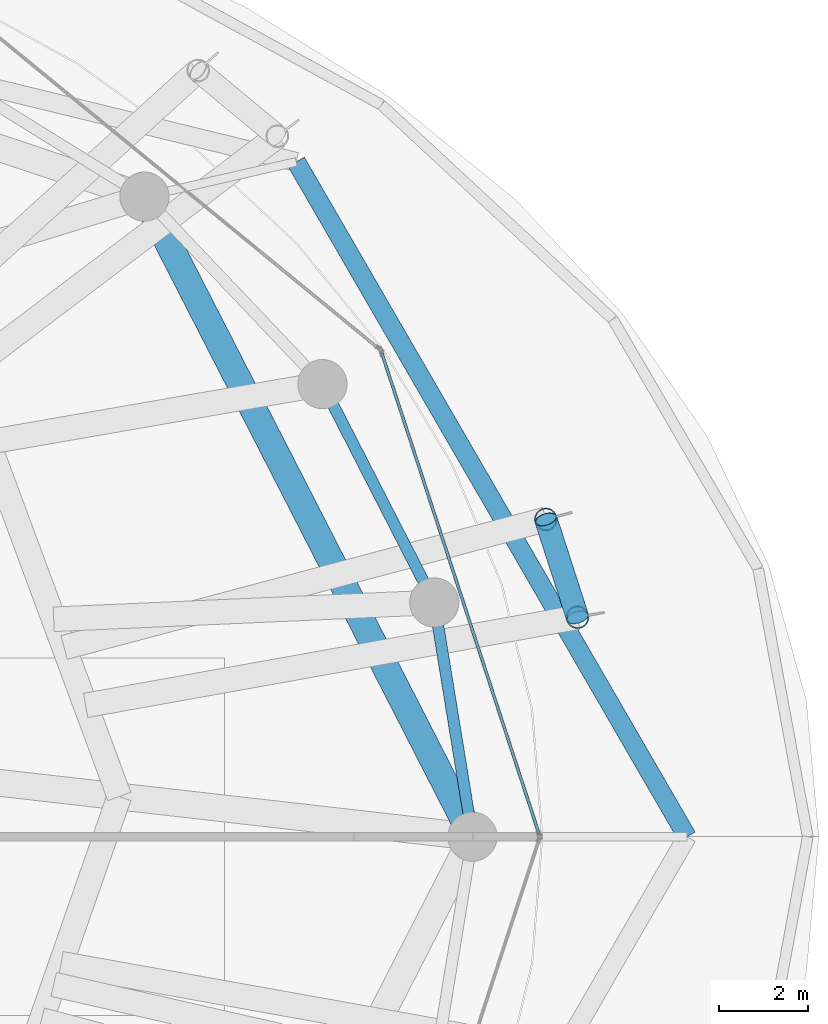
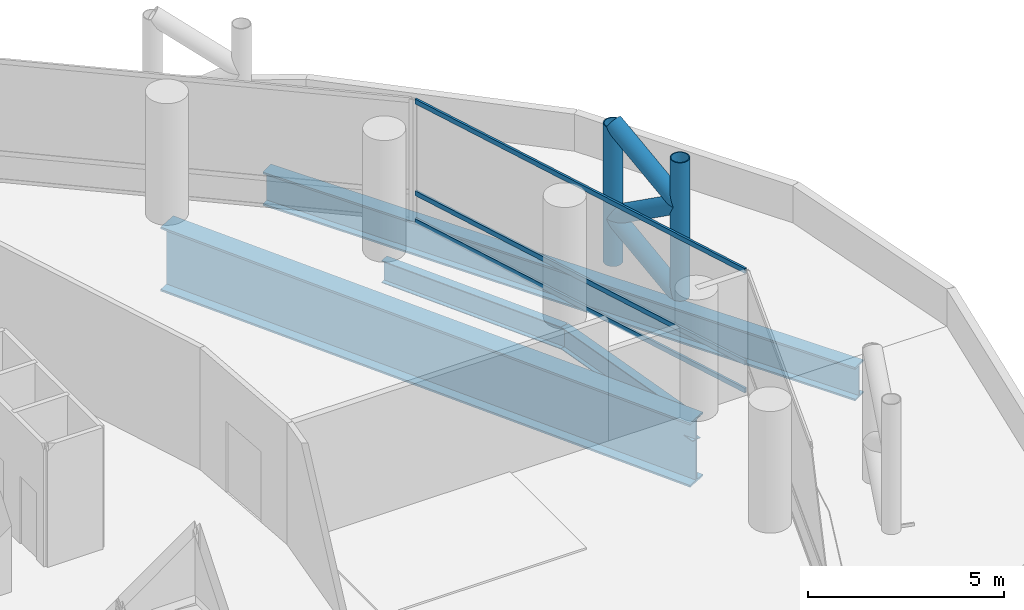
# One storey, part 17 of 37: 8 members, 4 beams, 1 element without a shape of its own.
"""IFC4 building model written with IfcOpenShell, lengths in metres."""

from ifc_helpers import new_model, si_unit, direction, frame, origin, origin_2d, place, context, subcontext, project, spatial, hollow_rectangle, hollow_circle, i_section, extrude, material, layer, layer_set, material_profile, profile_set, type_object, element, aggregate, save


model = new_model("IFC4")

# Units and contexts
model_context = context("Model", 3, precision=1e-05, world=origin(), true_north=direction((0.0, 1.0)))
body_context = subcontext(model_context, "Body", "Model", "MODEL_VIEW")
ifc_project = project(units=[si_unit("LENGTHUNIT", "METRE"), si_unit("AREAUNIT", "SQUARE_METRE"), si_unit("VOLUMEUNIT", "CUBIC_METRE"), si_unit("PLANEANGLEUNIT", "RADIAN"), si_unit("MASSUNIT", "GRAM", prefix="KILO")], contexts=[model_context])

# Site, building, storey
site_placement = place(None, origin())
site = spatial("IfcSite", under=ifc_project, at=site_placement, CompositionType="ELEMENT")
building_placement = place(site_placement, origin())
building = spatial("IfcBuilding", under=site, at=building_placement, Name="Nuhasar Tower", CompositionType="ELEMENT")
storey_placement = place(building_placement, frame((0.0, 0.0, 21.0)))
storey = spatial("IfcBuildingStorey", under=building, at=storey_placement, Name="L04", CompositionType="ELEMENT", Elevation=21.0)

# Beams
ifc_material_1 = material(Name="Steel S355", Category="steel")
ifc_material_profile_1 = material_profile(ifc_material_1, i_section(OverallWidth=0.256103515625, OverallDepth=0.693115234375, WebThickness=0.014404296875, FlangeThickness=0.023681640625, at=origin_2d()), Name="W27X114")
ifc_profile_set_1 = profile_set([ifc_material_profile_1], Name="Steel S355")
beam_type_1 = type_object("IfcBeamType", Name="BM-RING-W27X114", PredefinedType="SPANDREL", material=ifc_profile_set_1)
beam_1_placement = place(storey_placement, frame((64.050048828125, 26.800048828125, -0.60693359375), z_axis=(-0.160826635486, 0.986982671235, 0.0), x_axis=(-0.986982671235, -0.160826635486, 0.0)))
element("IfcBeam", 1, at=beam_1_placement, inside=storey, type_object=beam_type_1, Name="L04 Perimeter Ring Spandrel 01", PredefinedType="SPANDREL", context=body_context, shape_type="SweptSolid", body=[
    extrude(i_section(OverallWidth=0.256103515625, OverallDepth=0.693115234375, WebThickness=0.014404296875, FlangeThickness=0.023681640625, at=origin_2d()), origin(), (0.0, 0.0, 1.0), 5.31005859375),
])
beam_2_placement = place(storey_placement, frame((63.196044921875, 32.041015625, -0.60693359375), z_axis=(-0.455930023905, 0.890015625314, 0.0), x_axis=(-0.890015625314, -0.455930023905, 0.0)))
element("IfcBeam", 2, at=beam_2_placement, inside=storey, type_object=beam_type_1, Name="L04 Perimeter Ring Spandrel 02", PredefinedType="SPANDREL", context=body_context, shape_type="SweptSolid", body=[
    extrude(i_section(OverallWidth=0.256103515625, OverallDepth=0.693115234375, WebThickness=0.014404296875, FlangeThickness=0.023681640625, at=origin_2d()), origin(), (0.0, 0.0, 1.0), 5.487548828125),
])
ifc_material_2 = material(Name="Steel S460", Category="steel")
ifc_material_profile_2 = material_profile(ifc_material_2, i_section(OverallWidth=0.60009765625, OverallDepth=2.0, WebThickness=0.035888671875, FlangeThickness=0.06005859375, at=origin_2d()), Name="PG2000X600")
ifc_profile_set_2 = profile_set([ifc_material_profile_2], Name="Steel S460")
beam_type_2 = type_object("IfcBeamType", Name="BM-XFER-PG2000", PredefinedType="USERDEFINED", material=ifc_profile_set_2)
beam_3_placement = place(storey_placement, frame((64.050048828125, 26.800048828125, -1.260009765625), z_axis=(-0.456029199343, 0.889964813544, 0.0), x_axis=(-0.889964813544, -0.456029199343, 0.0)))
element("IfcBeam", 3, at=beam_3_placement, inside=storey, type_object=beam_type_2, Name="L04 Podium-to-Tower Transfer Chord 04", ObjectType="GIRDER", PredefinedType="USERDEFINED", context=body_context, shape_type="SweptSolid", body=[
    extrude(i_section(OverallWidth=0.60009765625, OverallDepth=2.0, WebThickness=0.035888671875, FlangeThickness=0.06005859375, at=origin_2d()), origin(), (0.0, 0.0, 1.0), 16.089111328125),
])
ifc_material_profile_3 = material_profile(ifc_material_2, i_section(OverallWidth=0.419921875, OverallDepth=1.0400390625, WebThickness=0.031005859375, FlangeThickness=0.055908203125, at=origin_2d()), Name="W40X397")
ifc_profile_set_3 = profile_set([ifc_material_profile_3], Name="Steel S460")
beam_type_3 = type_object("IfcBeamType", Name="BM-XFER-W40X397", PredefinedType="USERDEFINED", material=ifc_profile_set_3)
beam_4_placement = place(storey_placement, frame((68.85009765625, 26.800048828125, -0.780029296875), z_axis=(-0.501158177185, 0.865355696486, 0.0), x_axis=(-0.865355696486, -0.501158177185, 0.0)))
element("IfcBeam", 4, at=beam_4_placement, inside=storey, type_object=beam_type_3, Name="L04 Podium Ring Girder 04", ObjectType="GIRDER", PredefinedType="USERDEFINED", context=body_context, shape_type="SweptSolid", body=[
    extrude(i_section(OverallWidth=0.419921875, OverallDepth=1.0400390625, WebThickness=0.031005859375, FlangeThickness=0.055908203125, at=origin_2d()), origin(), (0.0, 0.0, 1.0), 17.44580078125),
])

# Curtain wall, members
ifc_material_3 = material(Name="Aluminium 6063-T6", Category="aluminium")
ifc_layer = layer(ifc_material_3, 0.199951171875)
ifc_layer_set = layer_set([ifc_layer], Name="Aluminium 6063-T6")
curtain_wall_type = type_object("IfcCurtainWallType", Name="CW-Z1-OFF", PredefinedType="NOTDEFINED", material=ifc_layer_set)
curtain_wall_placement = place(storey_placement, origin())
curtain_wall = element("IfcCurtainWall", 5, at=curtain_wall_placement, inside=storey, type_object=curtain_wall_type, Name="L04 Unitised Curtain Wall 01", PredefinedType="NOTDEFINED")
ifc_material_profile_4 = material_profile(ifc_material_3, hollow_rectangle(XDim=0.06494140625, YDim=0.14990234375, WallThickness=0.00439453125, at=origin_2d()), Name="CWT-2")
ifc_profile_set_4 = profile_set([ifc_material_profile_4], Name="Aluminium 6063-T6")
member_type_1 = type_object("IfcMemberType", Name="CW-TRN-S2", PredefinedType="USERDEFINED", material=ifc_profile_set_4)
member_1_placement = place(storey_placement, frame((65.539794921875, 26.86181640625, 0.032470703125), z_axis=(-0.31082506089, 0.950467138581, 0.0), x_axis=(-0.950467138581, -0.31082506089, 0.0)))
member_1 = element("IfcMember", 6, at=member_1_placement, type_object=member_type_1, Name="CW-Z1 transom 1.1", ObjectType="TRANSOM", PredefinedType="USERDEFINED", context=body_context, shape_type="SweptSolid", body=[
    extrude(hollow_rectangle(XDim=0.06494140625, YDim=0.14990234375, WallThickness=0.00439453125, at=origin_2d()), origin(), (0.0, 0.0, 1.0), 11.31689453125),
])
member_2_placement = place(storey_placement, frame((65.539794921875, 26.86181640625, 0.89990234375), z_axis=(-0.31082506089, 0.950467138581, 0.0), x_axis=(-0.950467138581, -0.31082506089, 0.0)))
member_2 = element("IfcMember", 7, at=member_2_placement, type_object=member_type_1, Name="CW-Z1 transom 1.2", ObjectType="TRANSOM", PredefinedType="USERDEFINED", context=body_context, shape_type="SweptSolid", body=[
    extrude(hollow_rectangle(XDim=0.06494140625, YDim=0.14990234375, WallThickness=0.00439453125, at=origin_2d()), origin(), (0.0, 0.0, 1.0), 11.31689453125),
])
member_3_placement = place(storey_placement, frame((65.539794921875, 26.86181640625, 3.757568359375), z_axis=(-0.31082506089, 0.950467138581, 0.0), x_axis=(-0.950467138581, -0.31082506089, 0.0)))
member_3 = element("IfcMember", 8, at=member_3_placement, type_object=member_type_1, Name="CW-Z1 transom 1.3", ObjectType="TRANSOM", PredefinedType="USERDEFINED", context=body_context, shape_type="SweptSolid", body=[
    extrude(hollow_rectangle(XDim=0.06494140625, YDim=0.14990234375, WallThickness=0.00439453125, at=origin_2d()), origin(), (0.0, 0.0, 1.0), 11.31689453125),
])
aggregate(curtain_wall, [member_1, member_2, member_3])

# Members
ifc_material_profile_5 = material_profile(ifc_material_2, hollow_circle(Radius=0.25390625, WallThickness=0.025390625, at=origin_2d()), Name="HSS508X25.4")
ifc_profile_set_5 = profile_set([ifc_material_profile_5], Name="Steel S460")
member_type_2 = type_object("IfcMemberType", Name="EXO-BRONZE-508", PredefinedType="BRACE", material=ifc_profile_set_5)
for number, where, z_axis, x_axis, name in (
    (9, (66.39990234375, 31.7099609375, -0.260009765625), (0.0, 0.0, 1.0), (1.0, 0.0, 0.0), "L04 Exoskeleton Chord Column EC-01A"),
    (10, (65.69189453125, 33.89892578125, -0.260009765625), (0.0, 0.0, 1.0), (1.0, 0.0, 0.0), "L04 Exoskeleton Chord Column EC-01B"),
):
    element("IfcMember", number, at=place(storey_placement, frame(where, z_axis=z_axis, x_axis=x_axis)), inside=storey, type_object=member_type_2, Name=name, PredefinedType="BRACE", context=body_context, shape_type="SweptSolid", body=[
        extrude(hollow_circle(Radius=0.25390625, WallThickness=0.025390625, at=origin_2d()), origin(), (0.0, 0.0, 1.0), 4.31005859375),
    ])
member_4_placement = place(storey_placement, frame((66.39990234375, 31.7099609375, -0.260009765625), z_axis=(-0.261013360154, 0.806981305911, 0.529767116506), x_axis=(-0.951468282519, -0.307746823478, 0.0)))
element("IfcMember", 11, at=member_4_placement, inside=storey, type_object=member_type_2, Name="L04 Bronze Diagrid Brace W1-01", PredefinedType="BRACE", context=body_context, shape_type="SweptSolid", body=[
    extrude(hollow_circle(Radius=0.25390625, WallThickness=0.025390625, at=origin_2d()), origin(), (0.0, 0.0, 1.0), 2.712646484375),
])
member_5_placement = place(storey_placement, frame((65.69189453125, 33.89892578125, 1.177001953125), z_axis=(0.26106313949, -0.807135209886, 0.529508064304), x_axis=(0.951468282519, 0.307746823478, 0.0)))
element("IfcMember", 12, at=member_5_placement, inside=storey, type_object=member_type_2, Name="L04 Bronze Diagrid Brace W2-01", PredefinedType="BRACE", context=body_context, shape_type="SweptSolid", body=[
    extrude(hollow_circle(Radius=0.25390625, WallThickness=0.025390625, at=origin_2d()), origin(), (0.0, 0.0, 1.0), 2.7119140625),
])
member_6_placement = place(storey_placement, frame((66.39990234375, 31.7099609375, 2.613037109375), z_axis=(-0.261013360154, 0.806981305911, 0.529767116506), x_axis=(-0.951468282519, -0.307746823478, 0.0)))
element("IfcMember", 13, at=member_6_placement, inside=storey, type_object=member_type_2, Name="L04 Bronze Diagrid Brace W3-01", PredefinedType="BRACE", context=body_context, shape_type="SweptSolid", body=[
    extrude(hollow_circle(Radius=0.25390625, WallThickness=0.025390625, at=origin_2d()), origin(), (0.0, 0.0, 1.0), 2.712646484375),
])

save(model, "model.ifc")
